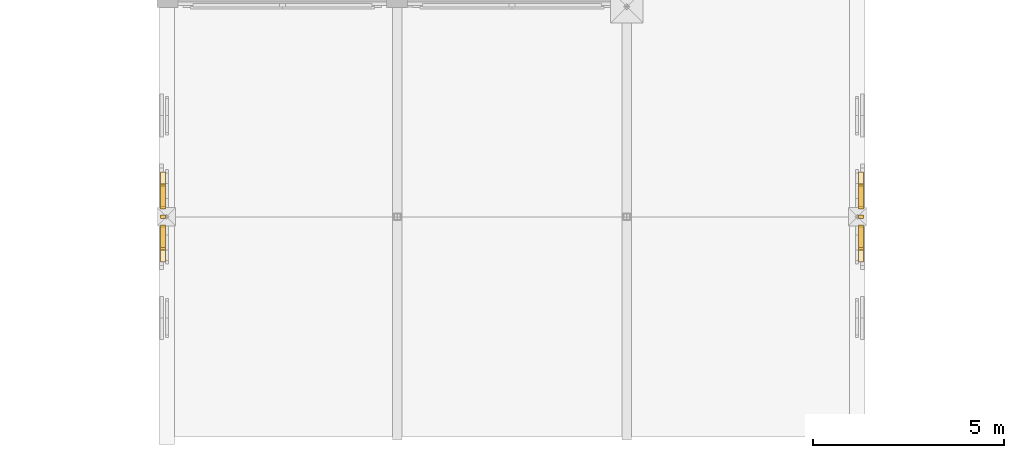
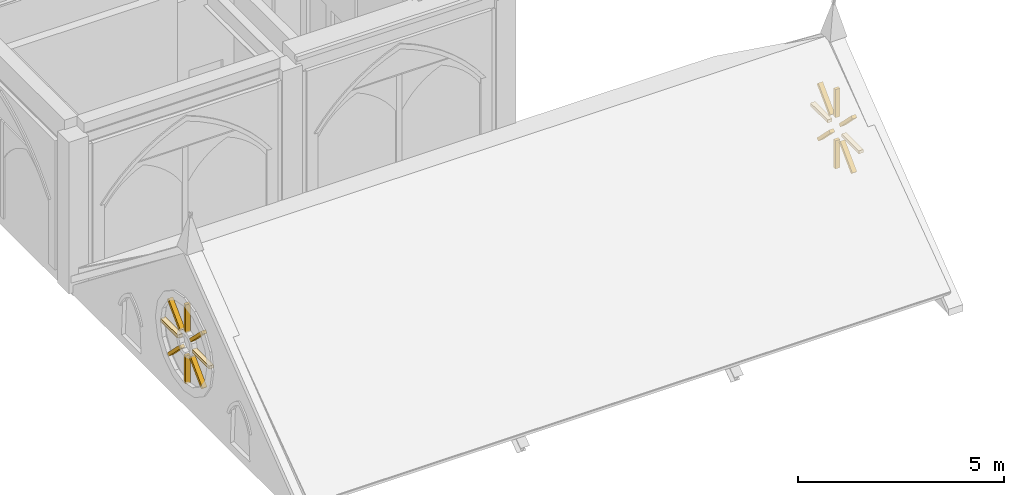
# One storey, part 108 of 108: 16 coverings.
"""IFC4 building model written with IfcOpenShell, lengths in metres."""

from ifc_helpers import new_model, si_unit, direction, frame, origin, place, context, subcontext, project, spatial, polyline, outline, extrude, material, type_object, element, save


model = new_model("IFC4")

# Units and contexts
model_context = context("Model", 3, precision=1e-05, world=origin(), true_north=direction((0.0, 1.0)))
body_context = subcontext(model_context, "Body", "Model", "MODEL_VIEW")
ifc_project = project(units=[si_unit("LENGTHUNIT", "METRE"), si_unit("AREAUNIT", "SQUARE_METRE"), si_unit("VOLUMEUNIT", "CUBIC_METRE"), si_unit("PLANEANGLEUNIT", "RADIAN"), si_unit("MASSUNIT", "GRAM", prefix="KILO")], contexts=[model_context])

# Site, building, storey
site_placement = place(None, origin())
site = spatial("IfcSite", under=ifc_project, at=site_placement, CompositionType="ELEMENT")
building_placement = place(site_placement, origin())
building = spatial("IfcBuilding", under=site, at=building_placement, Name="Cumevento Cable Car Station", CompositionType="ELEMENT")
storey_placement = place(building_placement, frame((0.0, 0.0, 13.5)))
storey = spatial("IfcBuildingStorey", under=building, at=storey_placement, Name="L04", CompositionType="ELEMENT", Elevation=13.5)

# Coverings
ifc_material = material(Name="Gnaisse Facoidal Stone Ashlar 85 MPa", Category="masonry")
covering_type = type_object("IfcCoveringType", Name="Gnaisse Ashlar Cladding CV-CL01", PredefinedType="CLADDING", material=ifc_material)
placement_1 = place(storey_placement, frame((118.0, 9.5, 0.0), z_axis=(0.0, 0.0, 1.0), x_axis=(0.0, 1.0, 0.0)))
element("IfcCovering", 1, at=placement_1, inside=storey, type_object=covering_type, Name="Gothic Rose Stone Tracery Mullion wing_B_V4a_W #1", PredefinedType="CLADDING", context=body_context, shape_type="SweptSolid", body=[
    extrude(outline(polyline([(6.091064453125, 1.861328125), (6.926025390625, 1.861328125), (6.926025390625, 1.771240234375), (6.091064453125, 1.771240234375), (6.091064453125, 1.861328125)])), frame((0.0, 0.18505859375, 0.0), z_axis=(0.0, -1.0, 0.0), x_axis=(1.0, 0.0, 0.0)), (0.0, 0.0, 1.0), 0.1298828125),
])
element("IfcCovering", 2, at=placement_1, inside=storey, type_object=covering_type, Name="Gothic Rose Stone Tracery Mullion wing_B_V4a_W #2", PredefinedType="CLADDING", context=body_context, shape_type="SweptSolid", body=[
    extrude(outline(polyline([(5.959228515625, 2.08935546875), (6.5498046875, 2.6796875), (6.613525390625, 2.6162109375), (6.02294921875, 2.025634765625), (5.959228515625, 2.08935546875)])), frame((0.0, 0.18505859375, 0.0), z_axis=(0.0, -1.0, 0.0), x_axis=(1.0, 0.0, 0.0)), (0.0, 0.0, 1.0), 0.1298828125),
])
element("IfcCovering", 3, at=placement_1, inside=storey, type_object=covering_type, Name="Gothic Rose Stone Tracery Mullion wing_B_V4a_W #3", PredefinedType="CLADDING", context=body_context, shape_type="SweptSolid", body=[
    extrude(outline(polyline([(5.705078125, 2.1572265625), (5.705078125, 2.992431640625), (5.794921875, 2.992431640625), (5.794921875, 2.1572265625), (5.705078125, 2.1572265625)])), frame((0.0, 0.18505859375, 0.0), z_axis=(0.0, -1.0, 0.0), x_axis=(1.0, 0.0, 0.0)), (0.0, 0.0, 1.0), 0.1298828125),
])
element("IfcCovering", 4, at=placement_1, inside=storey, type_object=covering_type, Name="Gothic Rose Stone Tracery Mullion wing_B_V4a_W #4", PredefinedType="CLADDING", context=body_context, shape_type="SweptSolid", body=[
    extrude(outline(polyline([(5.47705078125, 2.025634765625), (4.886474609375, 2.6162109375), (4.9501953125, 2.6796875), (5.540771484375, 2.08935546875), (5.47705078125, 2.025634765625)])), frame((0.0, 0.18505859375, 0.0), z_axis=(0.0, -1.0, 0.0), x_axis=(1.0, 0.0, 0.0)), (0.0, 0.0, 1.0), 0.1298828125),
])
element("IfcCovering", 5, at=placement_1, inside=storey, type_object=covering_type, Name="Gothic Rose Stone Tracery Mullion wing_B_V4a_W #5", PredefinedType="CLADDING", context=body_context, shape_type="SweptSolid", body=[
    extrude(outline(polyline([(5.408935546875, 1.771240234375), (4.573974609375, 1.771240234375), (4.573974609375, 1.861328125), (5.408935546875, 1.861328125), (5.408935546875, 1.771240234375)])), frame((0.0, 0.18505859375, 0.0), z_axis=(0.0, -1.0, 0.0), x_axis=(1.0, 0.0, 0.0)), (0.0, 0.0, 1.0), 0.1298828125),
])
element("IfcCovering", 6, at=placement_1, inside=storey, type_object=covering_type, Name="Gothic Rose Stone Tracery Mullion wing_B_V4a_W #6", PredefinedType="CLADDING", context=body_context, shape_type="SweptSolid", body=[
    extrude(outline(polyline([(5.540771484375, 1.54345703125), (4.9501953125, 0.952880859375), (4.886474609375, 1.0166015625), (5.47705078125, 1.60693359375), (5.540771484375, 1.54345703125)])), frame((0.0, 0.18505859375, 0.0), z_axis=(0.0, -1.0, 0.0), x_axis=(1.0, 0.0, 0.0)), (0.0, 0.0, 1.0), 0.1298828125),
])
element("IfcCovering", 7, at=placement_1, inside=storey, type_object=covering_type, Name="Gothic Rose Stone Tracery Mullion wing_B_V4a_W #7", PredefinedType="CLADDING", context=body_context, shape_type="SweptSolid", body=[
    extrude(outline(polyline([(5.794921875, 1.475341796875), (5.794921875, 0.64013671875), (5.705078125, 0.64013671875), (5.705078125, 1.475341796875), (5.794921875, 1.475341796875)])), frame((0.0, 0.18505859375, 0.0), z_axis=(0.0, -1.0, 0.0), x_axis=(1.0, 0.0, 0.0)), (0.0, 0.0, 1.0), 0.1298828125),
])
element("IfcCovering", 8, at=placement_1, inside=storey, type_object=covering_type, Name="Gothic Rose Stone Tracery Mullion wing_B_V4a_W #8", PredefinedType="CLADDING", context=body_context, shape_type="SweptSolid", body=[
    extrude(outline(polyline([(6.02294921875, 1.60693359375), (6.613525390625, 1.0166015625), (6.5498046875, 0.952880859375), (5.959228515625, 1.54345703125), (6.02294921875, 1.60693359375)])), frame((0.0, 0.18505859375, 0.0), z_axis=(0.0, -1.0, 0.0), x_axis=(1.0, 0.0, 0.0)), (0.0, 0.0, 1.0), 0.1298828125),
])
placement_2 = place(storey_placement, frame((136.0, 21.0, 0.0), z_axis=(0.0, 0.0, 1.0), x_axis=(0.0, -1.0, 0.0)))
element("IfcCovering", 9, at=placement_2, inside=storey, type_object=covering_type, Name="Gothic Rose Stone Tracery Mullion wing_B_V4a_E #1", PredefinedType="CLADDING", context=body_context, shape_type="SweptSolid", body=[
    extrude(outline(polyline([(6.091064453125, 1.861328125), (6.926025390625, 1.861328125), (6.926025390625, 1.771240234375), (6.091064453125, 1.771240234375), (6.091064453125, 1.861328125)])), frame((0.0, 0.18505859375, 0.0), z_axis=(0.0, -1.0, 0.0), x_axis=(1.0, 0.0, 0.0)), (0.0, 0.0, 1.0), 0.1298828125),
])
element("IfcCovering", 10, at=placement_2, inside=storey, type_object=covering_type, Name="Gothic Rose Stone Tracery Mullion wing_B_V4a_E #2", PredefinedType="CLADDING", context=body_context, shape_type="SweptSolid", body=[
    extrude(outline(polyline([(5.959228515625, 2.08935546875), (6.5498046875, 2.6796875), (6.613525390625, 2.6162109375), (6.02294921875, 2.025634765625), (5.959228515625, 2.08935546875)])), frame((0.0, 0.18505859375, 0.0), z_axis=(0.0, -1.0, 0.0), x_axis=(1.0, 0.0, 0.0)), (0.0, 0.0, 1.0), 0.1298828125),
])
element("IfcCovering", 11, at=placement_2, inside=storey, type_object=covering_type, Name="Gothic Rose Stone Tracery Mullion wing_B_V4a_E #3", PredefinedType="CLADDING", context=body_context, shape_type="SweptSolid", body=[
    extrude(outline(polyline([(5.705078125, 2.1572265625), (5.705078125, 2.992431640625), (5.794921875, 2.992431640625), (5.794921875, 2.1572265625), (5.705078125, 2.1572265625)])), frame((0.0, 0.18505859375, 0.0), z_axis=(0.0, -1.0, 0.0), x_axis=(1.0, 0.0, 0.0)), (0.0, 0.0, 1.0), 0.1298828125),
])
element("IfcCovering", 12, at=placement_2, inside=storey, type_object=covering_type, Name="Gothic Rose Stone Tracery Mullion wing_B_V4a_E #4", PredefinedType="CLADDING", context=body_context, shape_type="SweptSolid", body=[
    extrude(outline(polyline([(5.47705078125, 2.025634765625), (4.886474609375, 2.6162109375), (4.9501953125, 2.6796875), (5.540771484375, 2.08935546875), (5.47705078125, 2.025634765625)])), frame((0.0, 0.18505859375, 0.0), z_axis=(0.0, -1.0, 0.0), x_axis=(1.0, 0.0, 0.0)), (0.0, 0.0, 1.0), 0.1298828125),
])
element("IfcCovering", 13, at=placement_2, inside=storey, type_object=covering_type, Name="Gothic Rose Stone Tracery Mullion wing_B_V4a_E #5", PredefinedType="CLADDING", context=body_context, shape_type="SweptSolid", body=[
    extrude(outline(polyline([(5.408935546875, 1.771240234375), (4.573974609375, 1.771240234375), (4.573974609375, 1.861328125), (5.408935546875, 1.861328125), (5.408935546875, 1.771240234375)])), frame((0.0, 0.18505859375, 0.0), z_axis=(0.0, -1.0, 0.0), x_axis=(1.0, 0.0, 0.0)), (0.0, 0.0, 1.0), 0.1298828125),
])
element("IfcCovering", 14, at=placement_2, inside=storey, type_object=covering_type, Name="Gothic Rose Stone Tracery Mullion wing_B_V4a_E #6", PredefinedType="CLADDING", context=body_context, shape_type="SweptSolid", body=[
    extrude(outline(polyline([(5.540771484375, 1.54345703125), (4.9501953125, 0.952880859375), (4.886474609375, 1.0166015625), (5.47705078125, 1.60693359375), (5.540771484375, 1.54345703125)])), frame((0.0, 0.18505859375, 0.0), z_axis=(0.0, -1.0, 0.0), x_axis=(1.0, 0.0, 0.0)), (0.0, 0.0, 1.0), 0.1298828125),
])
element("IfcCovering", 15, at=placement_2, inside=storey, type_object=covering_type, Name="Gothic Rose Stone Tracery Mullion wing_B_V4a_E #7", PredefinedType="CLADDING", context=body_context, shape_type="SweptSolid", body=[
    extrude(outline(polyline([(5.794921875, 1.475341796875), (5.794921875, 0.64013671875), (5.705078125, 0.64013671875), (5.705078125, 1.475341796875), (5.794921875, 1.475341796875)])), frame((0.0, 0.18505859375, 0.0), z_axis=(0.0, -1.0, 0.0), x_axis=(1.0, 0.0, 0.0)), (0.0, 0.0, 1.0), 0.1298828125),
])
element("IfcCovering", 16, at=placement_2, inside=storey, type_object=covering_type, Name="Gothic Rose Stone Tracery Mullion wing_B_V4a_E #8", PredefinedType="CLADDING", context=body_context, shape_type="SweptSolid", body=[
    extrude(outline(polyline([(6.02294921875, 1.60693359375), (6.613525390625, 1.0166015625), (6.5498046875, 0.952880859375), (5.959228515625, 1.54345703125), (6.02294921875, 1.60693359375)])), frame((0.0, 0.18505859375, 0.0), z_axis=(0.0, -1.0, 0.0), x_axis=(1.0, 0.0, 0.0)), (0.0, 0.0, 1.0), 0.1298828125),
])

save(model, "model.ifc")
